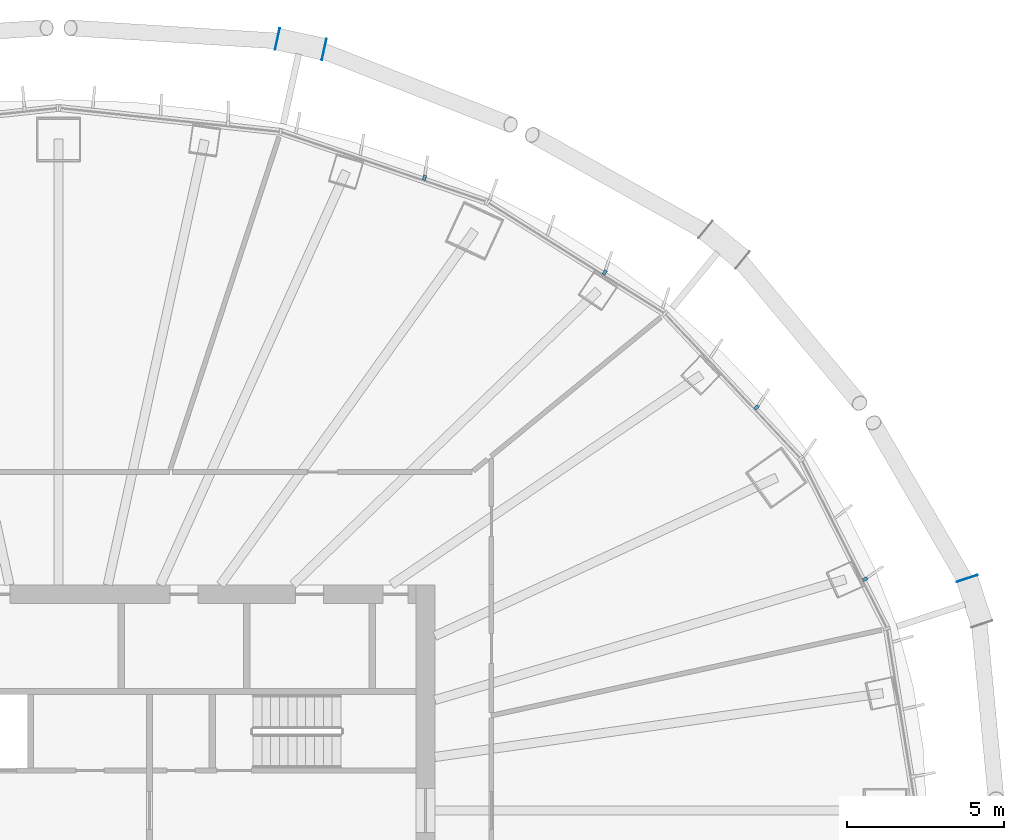
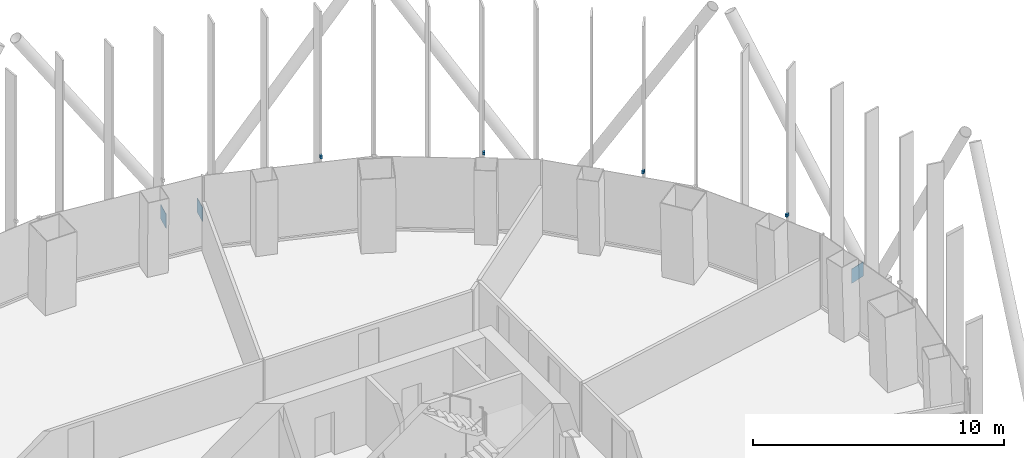
# One storey, part 15 of 19: 7 discrete accessories.
"""IFC4 building model written with IfcOpenShell, lengths in metres."""

from ifc_helpers import new_model, si_unit, direction, frame, origin, origin_2d, place, context, subcontext, project, spatial, rectangle, extrude, material, layer, layer_set, type_object, element, save


model = new_model("IFC4")

# Units and contexts
model_context = context("Model", 3, precision=1e-05, world=origin(), true_north=direction((0.0, 1.0)))
body_context = subcontext(model_context, "Body", "Model", "MODEL_VIEW")
ifc_project = project(units=[si_unit("LENGTHUNIT", "METRE"), si_unit("AREAUNIT", "SQUARE_METRE"), si_unit("VOLUMEUNIT", "CUBIC_METRE"), si_unit("PLANEANGLEUNIT", "RADIAN"), si_unit("MASSUNIT", "GRAM", prefix="KILO")], contexts=[model_context])

# Site, building, storey
site_placement = place(None, origin())
site = spatial("IfcSite", under=ifc_project, at=site_placement, CompositionType="ELEMENT")
building_placement = place(site_placement, origin())
building = spatial("IfcBuilding", under=site, at=building_placement, Name="Siaravel Broadcast Tower", CompositionType="ELEMENT")
storey_placement = place(building_placement, frame((0.0, 0.0, 59.300048828125)))
storey = spatial("IfcBuildingStorey", under=building, at=storey_placement, Name="L13", CompositionType="ELEMENT", Elevation=59.300048828125)

# Discrete accessories
ifc_material_1 = material(Name="Stainless steel 316", Category="steel")
discrete_accessory_type_1 = type_object("IfcDiscreteAccessoryType", Name="Stainless steel fin bracket", PredefinedType="USERDEFINED", material=ifc_material_1)
for number, where, z_axis, x_axis, name in (
    (1, (25.719970703125, 7.376953125, 3.68994140625), (0.0, 0.0, 1.0), (0.892391364, 0.451262289, 0.0), "Fin bracket L13-04"),
    (2, (22.2626953125, 12.85498046875, 3.68994140625), (0.0, 0.0, 1.0), (0.729804415, 0.683655992, 0.0), "Fin bracket L13-07"),
    (3, (17.4150390625, 17.162109375, 3.68994140625), (0.0, 0.0, 1.0), (0.532147974, 0.846651365, 0.0), "Fin bracket L13-10"),
    (4, (11.668701171875, 20.18359375, 3.68994140625), (0.0, 0.0, 1.0), (0.321298982, 0.946977806, 0.0), "Fin bracket L13-13"),
):
    element("IfcDiscreteAccessory", number, at=place(storey_placement, frame(where, z_axis=z_axis, x_axis=x_axis)), inside=storey, type_object=discrete_accessory_type_1, Name=name, ObjectType="BRACKET", PredefinedType="USERDEFINED", context=body_context, shape_type="SweptSolid", body=[
        extrude(rectangle(XDim=0.159912109375, YDim=0.10009765625, at=origin_2d()), origin(), (0.0, 0.0, 1.0), 0.139892578125),
    ])
ifc_material_2 = material(Name="Steel S355", Category="steel")
ifc_layer = layer(ifc_material_2, 0.02001953125)
ifc_layer_set = layer_set([ifc_layer], Name="Steel S355")
discrete_accessory_type_2 = type_object("IfcDiscreteAccessoryType", Name="Steel end plate 20 mm", PredefinedType="USERDEFINED", material=ifc_layer_set)
for number, where, z_axis, x_axis, name in (
    (5, (28.972412109375, 7.402587890625, -0.5498046875), (0.0, 0.0, 1.0), (-0.310908675, 0.950439791, 0.0), "End plate R06 station 03A"),
    (6, (6.976318359375, 24.605224609375, -0.5498046875), (0.0, 0.0, 1.0), (-0.976750917, 0.214377344, 0.0), "End plate R06 station 15A"),
    (7, (8.4677734375, 24.27783203125, -0.5498046875), (0.0, 0.0, 1.0), (-0.976750917, 0.214377344, 0.0), "End plate R06 station 15B"),
):
    element("IfcDiscreteAccessory", number, at=place(storey_placement, frame(where, z_axis=z_axis, x_axis=x_axis)), inside=storey, type_object=discrete_accessory_type_2, Name=name, ObjectType="END PLATE", PredefinedType="USERDEFINED", context=body_context, shape_type="SweptSolid", body=[
        extrude(rectangle(XDim=0.02001953125, YDim=0.699951171875, at=origin_2d()), origin(), (0.0, 0.0, 1.0), 0.699951171875),
    ])

save(model, "model.ifc")
